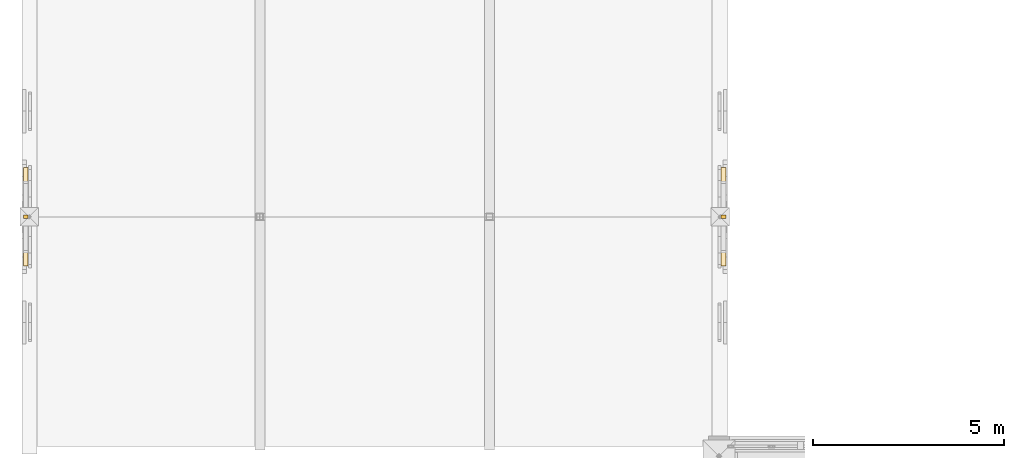
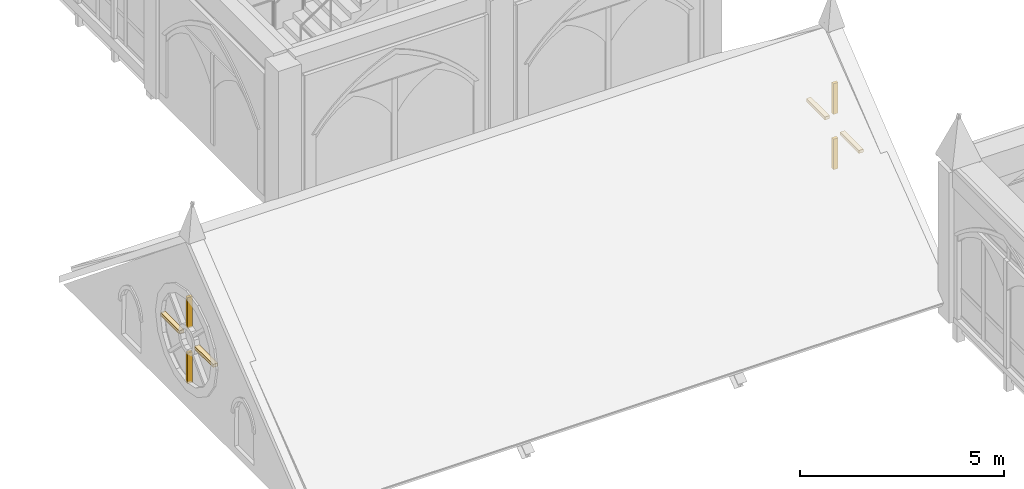
# One storey, part 143 of 143: 8 coverings.
"""IFC4 building model written with IfcOpenShell, lengths in metres."""

from ifc_helpers import new_model, si_unit, direction, frame, origin, place, context, subcontext, project, spatial, polyline, outline, extrude, material, type_object, element, save


model = new_model("IFC4")

# Units and contexts
model_context = context("Model", 3, precision=1e-05, world=origin(), true_north=direction((0.0, 1.0)))
body_context = subcontext(model_context, "Body", "Model", "MODEL_VIEW")
ifc_project = project(units=[si_unit("LENGTHUNIT", "METRE"), si_unit("AREAUNIT", "SQUARE_METRE"), si_unit("VOLUMEUNIT", "CUBIC_METRE"), si_unit("PLANEANGLEUNIT", "RADIAN"), si_unit("MASSUNIT", "GRAM", prefix="KILO")], contexts=[model_context])

# Site, building, storey
site_placement = place(None, origin())
site = spatial("IfcSite", under=ifc_project, at=site_placement, CompositionType="ELEMENT")
building_placement = place(site_placement, origin())
building = spatial("IfcBuilding", under=site, at=building_placement, Name="Cumevento Cable Car Station", CompositionType="ELEMENT")
storey_placement = place(building_placement, frame((0.0, 0.0, 9.0)))
storey = spatial("IfcBuildingStorey", under=building, at=storey_placement, Name="L03", CompositionType="ELEMENT", Elevation=9.0)

# Coverings
ifc_material = material(Name="Gnaisse Facoidal Stone Ashlar 85 MPa", Category="masonry")
covering_type = type_object("IfcCoveringType", Name="Gnaisse Ashlar Cladding CV-CL01", PredefinedType="CLADDING", material=ifc_material)
placement_1 = place(storey_placement, frame((4.0, 15.0, 0.0), z_axis=(0.0, 0.0, 1.0), x_axis=(0.0, 1.0, 0.0)))
element("IfcCovering", 1, at=placement_1, inside=storey, type_object=covering_type, Name="Gothic Rose Stone Tracery Mullion wing_B_V6a_W #1", PredefinedType="CLADDING", context=body_context, shape_type="SweptSolid", body=[
    extrude(outline(polyline([(6.369140625, 2.025390625), (7.2841796875, 2.025390625), (7.2841796875, 1.935302734375), (6.369140625, 1.935302734375), (6.369140625, 2.025390625)])), frame((0.0, 0.18505859375, 0.0), z_axis=(0.0, -1.0, 0.0), x_axis=(1.0, 0.0, 0.0)), (0.0, 0.0, 1.0), 0.1298828125),
])
element("IfcCovering", 2, at=placement_1, inside=storey, type_object=covering_type, Name="Gothic Rose Stone Tracery Mullion wing_B_V6a_W #3", PredefinedType="CLADDING", context=body_context, shape_type="SweptSolid", body=[
    extrude(outline(polyline([(5.955078125, 2.349365234375), (5.955078125, 3.264404296875), (6.044921875, 3.264404296875), (6.044921875, 2.349365234375), (5.955078125, 2.349365234375)])), frame((0.0, 0.18505859375, 0.0), z_axis=(0.0, -1.0, 0.0), x_axis=(1.0, 0.0, 0.0)), (0.0, 0.0, 1.0), 0.1298828125),
])
element("IfcCovering", 3, at=placement_1, inside=storey, type_object=covering_type, Name="Gothic Rose Stone Tracery Mullion wing_B_V6a_W #5", PredefinedType="CLADDING", context=body_context, shape_type="SweptSolid", body=[
    extrude(outline(polyline([(5.630859375, 1.935302734375), (4.7158203125, 1.935302734375), (4.7158203125, 2.025390625), (5.630859375, 2.025390625), (5.630859375, 1.935302734375)])), frame((0.0, 0.18505859375, 0.0), z_axis=(0.0, -1.0, 0.0), x_axis=(1.0, 0.0, 0.0)), (0.0, 0.0, 1.0), 0.1298828125),
])
element("IfcCovering", 4, at=placement_1, inside=storey, type_object=covering_type, Name="Gothic Rose Stone Tracery Mullion wing_B_V6a_W #7", PredefinedType="CLADDING", context=body_context, shape_type="SweptSolid", body=[
    extrude(outline(polyline([(6.044921875, 1.611083984375), (6.044921875, 0.6962890625), (5.955078125, 0.6962890625), (5.955078125, 1.611083984375), (6.044921875, 1.611083984375)])), frame((0.0, 0.18505859375, 0.0), z_axis=(0.0, -1.0, 0.0), x_axis=(1.0, 0.0, 0.0)), (0.0, 0.0, 1.0), 0.1298828125),
])
placement_2 = place(storey_placement, frame((22.0, 27.0, 0.0), z_axis=(0.0, 0.0, 1.0), x_axis=(0.0, -1.0, 0.0)))
element("IfcCovering", 5, at=placement_2, inside=storey, type_object=covering_type, Name="Gothic Rose Stone Tracery Mullion wing_B_V6a_E #1", PredefinedType="CLADDING", context=body_context, shape_type="SweptSolid", body=[
    extrude(outline(polyline([(6.369140625, 2.025390625), (7.2841796875, 2.025390625), (7.2841796875, 1.935302734375), (6.369140625, 1.935302734375), (6.369140625, 2.025390625)])), frame((0.0, 0.18505859375, 0.0), z_axis=(0.0, -1.0, 0.0), x_axis=(1.0, 0.0, 0.0)), (0.0, 0.0, 1.0), 0.1298828125),
])
element("IfcCovering", 6, at=placement_2, inside=storey, type_object=covering_type, Name="Gothic Rose Stone Tracery Mullion wing_B_V6a_E #3", PredefinedType="CLADDING", context=body_context, shape_type="SweptSolid", body=[
    extrude(outline(polyline([(5.955078125, 2.349365234375), (5.955078125, 3.264404296875), (6.044921875, 3.264404296875), (6.044921875, 2.349365234375), (5.955078125, 2.349365234375)])), frame((0.0, 0.18505859375, 0.0), z_axis=(0.0, -1.0, 0.0), x_axis=(1.0, 0.0, 0.0)), (0.0, 0.0, 1.0), 0.1298828125),
])
element("IfcCovering", 7, at=placement_2, inside=storey, type_object=covering_type, Name="Gothic Rose Stone Tracery Mullion wing_B_V6a_E #5", PredefinedType="CLADDING", context=body_context, shape_type="SweptSolid", body=[
    extrude(outline(polyline([(5.630859375, 1.935302734375), (4.7158203125, 1.935302734375), (4.7158203125, 2.025390625), (5.630859375, 2.025390625), (5.630859375, 1.935302734375)])), frame((0.0, 0.18505859375, 0.0), z_axis=(0.0, -1.0, 0.0), x_axis=(1.0, 0.0, 0.0)), (0.0, 0.0, 1.0), 0.1298828125),
])
element("IfcCovering", 8, at=placement_2, inside=storey, type_object=covering_type, Name="Gothic Rose Stone Tracery Mullion wing_B_V6a_E #7", PredefinedType="CLADDING", context=body_context, shape_type="SweptSolid", body=[
    extrude(outline(polyline([(6.044921875, 1.611083984375), (6.044921875, 0.6962890625), (5.955078125, 0.6962890625), (5.955078125, 1.611083984375), (6.044921875, 1.611083984375)])), frame((0.0, 0.18505859375, 0.0), z_axis=(0.0, -1.0, 0.0), x_axis=(1.0, 0.0, 0.0)), (0.0, 0.0, 1.0), 0.1298828125),
])

save(model, "model.ifc")
